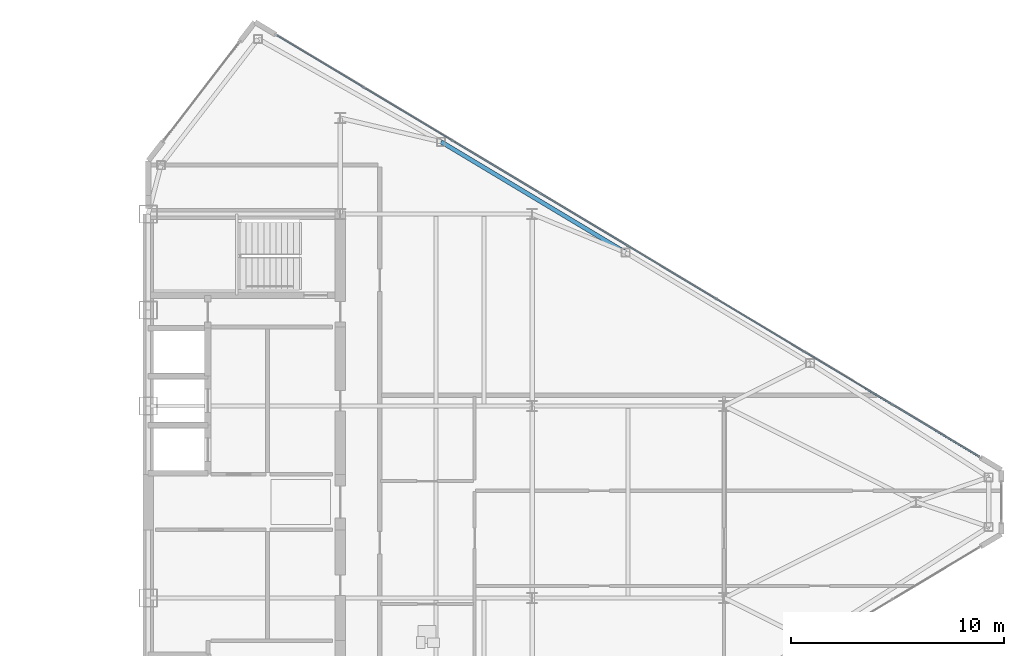
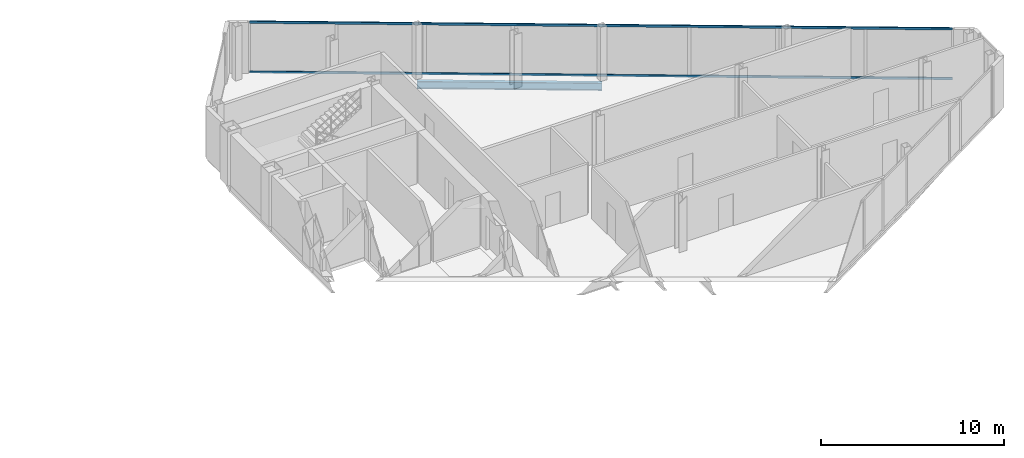
# One storey, part 16 of 25: 2 members, 1 beam, 1 element without a shape of its own.
"""IFC4 building model written with IfcOpenShell, lengths in metres."""

from ifc_helpers import new_model, si_unit, direction, frame, origin, origin_2d, place, context, subcontext, project, spatial, rectangle, i_section, extrude, source, transform, mapped, material, layer, layer_set, material_profile, profile_set, type_object, type_shapes, element, aggregate, save


model = new_model("IFC4")

# Units and contexts
model_context = context("Model", 3, precision=1e-05, world=origin(), true_north=direction((0.0, 1.0)))
body_context = subcontext(model_context, "Body", "Model", "MODEL_VIEW")
ifc_project = project(units=[si_unit("LENGTHUNIT", "METRE"), si_unit("AREAUNIT", "SQUARE_METRE"), si_unit("VOLUMEUNIT", "CUBIC_METRE"), si_unit("PLANEANGLEUNIT", "RADIAN"), si_unit("MASSUNIT", "GRAM", prefix="KILO")], contexts=[model_context])

# Site, building, storey
site_placement = place(None, origin())
site = spatial("IfcSite", under=ifc_project, at=site_placement, CompositionType="ELEMENT")
building_placement = place(site_placement, origin())
building = spatial("IfcBuilding", under=site, at=building_placement, Name="Seokmaru Belvedere", CompositionType="ELEMENT")
storey_placement = place(building_placement, frame((0.0, 0.0, 213.89990234375)))
storey = spatial("IfcBuildingStorey", under=building, at=storey_placement, Name="L57", CompositionType="ELEMENT", Elevation=213.89990234375)

# Beam
ifc_material_1 = material(Name="Steel SM355 (355 MPa)", Category="steel")
ifc_material_profile_1 = material_profile(ifc_material_1, i_section(OverallWidth=0.199951171875, OverallDepth=0.5, WebThickness=0.010009765625, FlangeThickness=0.01611328125, at=origin_2d()), Name="H-500x200x10x16")
ifc_profile_set_1 = profile_set([ifc_material_profile_1], Name="Steel SM355 (355 MPa)")
beam_type = type_object("IfcBeamType", Name="Perimeter Spandrel Beam H-500", PredefinedType="SPANDREL", material=ifc_profile_set_1)
shared_shape_1 = source(origin(), body_context, "Body", "SweptSolid", [
    extrude(i_section(OverallWidth=0.199951171875, OverallDepth=0.5, WebThickness=0.010009765625, FlangeThickness=0.01611328125, at=origin_2d()), origin(), (0.0, 0.0, 1.0), 10.087646484375),
])
type_shapes(beam_type, [shared_shape_1])
beam_placement = place(storey_placement, frame((41.229736328125, 16.888916015625, -0.469970703125), z_axis=(0.857499332045, -0.514485078056, 0.0), x_axis=(0.514485078056, 0.857499332045, 0.0)))
element("IfcBeam", 1, at=beam_placement, inside=storey, type_object=beam_type, Name="L57 E Faceted Flank Spandrel N-2", PredefinedType="SPANDREL", context=body_context, shape_type="MappedRepresentation", body=[
    mapped(shared_shape_1, transform((0.0, 0.0, 0.0), scale=1.0)),
])

# Curtain wall, members
ifc_material_2 = material(Name="Bronze Triple Insulating Glass", Category="glass")
ifc_layer = layer(ifc_material_2, 0.179931640625)
ifc_layer_set = layer_set([ifc_layer], Name="Bronze Triple Insulating Glass")
curtain_wall_type = type_object("IfcCurtainWallType", Name="High-Rise Wind-Corner Curtain Wall System CW-5", PredefinedType="NOTDEFINED", material=ifc_layer_set)
curtain_wall_placement = place(storey_placement, origin())
curtain_wall = element("IfcCurtainWall", 2, at=curtain_wall_placement, inside=storey, type_object=curtain_wall_type, Name="L57 Curtain Wall EF3", PredefinedType="NOTDEFINED")
ifc_material_3 = material(Name="Anodised Bronze Aluminium", Category="aluminium")
ifc_material_profile_2 = material_profile(ifc_material_3, rectangle(XDim=0.06494140625, YDim=0.14990234375, at=origin_2d()), Name="CW-T-65x150")
ifc_profile_set_2 = profile_set([ifc_material_profile_2], Name="Anodised Bronze Aluminium")
member_type = type_object("IfcMemberType", Name="Bronze Unitised Transom 65x150", PredefinedType="USERDEFINED", material=ifc_profile_set_2)
shared_shape_2 = source(origin(), body_context, "Body", "SweptSolid", [
    extrude(rectangle(XDim=0.06494140625, YDim=0.14990234375, at=origin_2d()), origin(), (0.0, 0.0, 1.0), 38.386962890625),
])
type_shapes(member_type, [shared_shape_2])
member_1_placement = place(storey_placement, frame((66.458251953125, 2.125, 0.03271484375), z_axis=(-0.85749180336, 0.514497626011, 0.0), x_axis=(-0.514497626011, -0.85749180336, 0.0)))
member_1 = element("IfcMember", 3, at=member_1_placement, type_object=member_type, Name="CW:L57:EF3 Continuous Transom 1", ObjectType="TRANSOM", PredefinedType="USERDEFINED", context=body_context, shape_type="MappedRepresentation", body=[
    mapped(shared_shape_2, transform((0.0, 0.0, 0.0), scale=1.0)),
])
member_2_placement = place(storey_placement, frame((66.458251953125, 2.125, 3.34765625), z_axis=(-0.85749180336, 0.514497626011, 0.0), x_axis=(-0.514497626011, -0.85749180336, 0.0)))
member_2 = element("IfcMember", 4, at=member_2_placement, type_object=member_type, Name="CW:L57:EF3 Continuous Transom 2", ObjectType="TRANSOM", PredefinedType="USERDEFINED", context=body_context, shape_type="MappedRepresentation", body=[
    mapped(shared_shape_2, transform((0.0, 0.0, 0.0), scale=1.0)),
])
aggregate(curtain_wall, [member_1, member_2])

save(model, "model.ifc")
